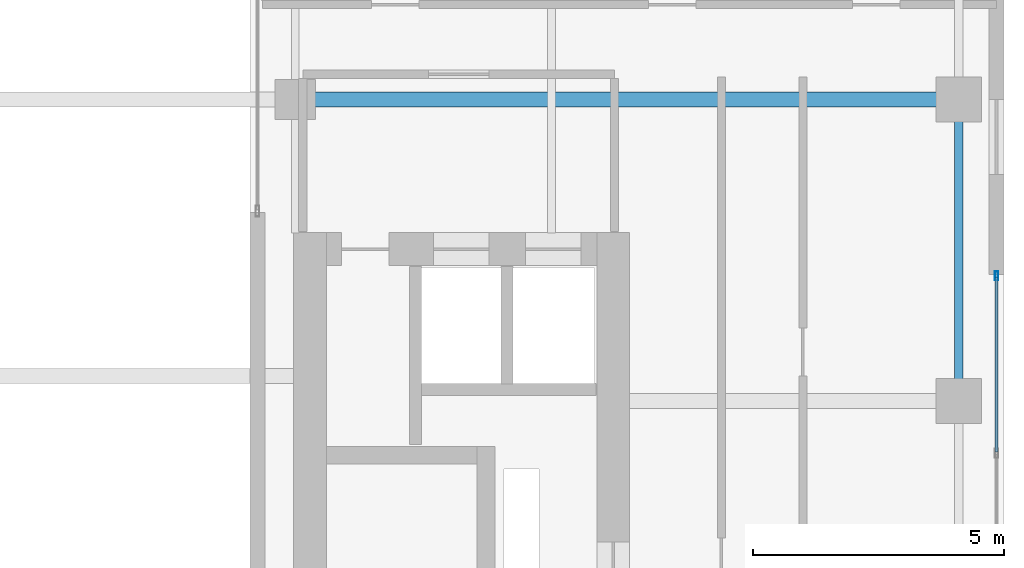
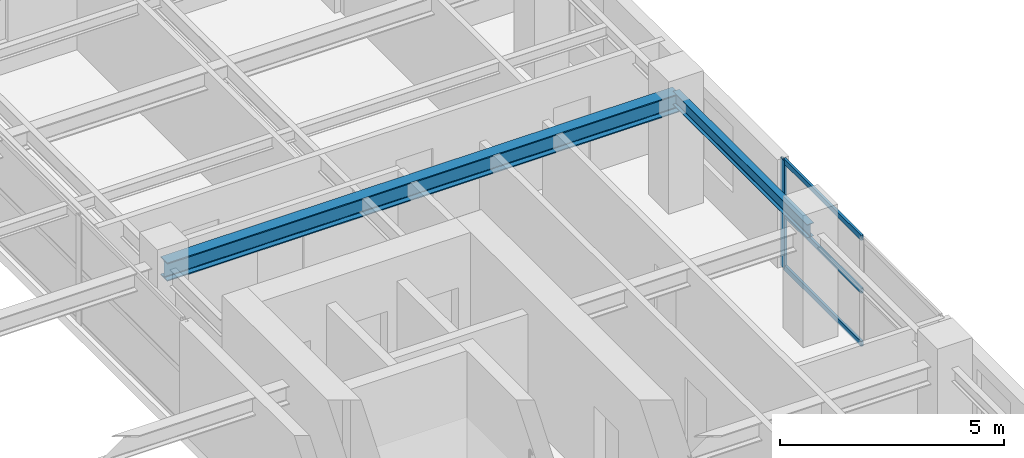
# One storey, part 12 of 21: 4 members, 2 beams, 1 element without a shape of its own.
"""IFC4 building model written with IfcOpenShell, lengths in metres."""

from ifc_helpers import new_model, si_unit, direction, frame, origin, origin_2d, place, context, subcontext, project, spatial, hollow_rectangle, i_section, extrude, source, transform, mapped, material, layer, layer_set, material_profile, profile_set, type_object, element, aggregate, save


model = new_model("IFC4")

# Units and contexts
model_context = context("Model", 3, precision=1e-05, world=origin(), true_north=direction((0.0, 1.0)))
body_context = subcontext(model_context, "Body", "Model", "MODEL_VIEW")
ifc_project = project(units=[si_unit("LENGTHUNIT", "METRE"), si_unit("AREAUNIT", "SQUARE_METRE"), si_unit("VOLUMEUNIT", "CUBIC_METRE"), si_unit("PLANEANGLEUNIT", "RADIAN"), si_unit("MASSUNIT", "GRAM", prefix="KILO")], contexts=[model_context])

# Site, building, storey
site_placement = place(None, origin())
site = spatial("IfcSite", under=ifc_project, at=site_placement, CompositionType="ELEMENT")
building_placement = place(site_placement, origin())
building = spatial("IfcBuilding", under=site, at=building_placement, Name="Khoralis Quay Care Tower", CompositionType="ELEMENT")
storey_placement = place(building_placement, frame((0.0, 0.0, 213.300048828125)))
storey = spatial("IfcBuildingStorey", under=building, at=storey_placement, Name="L56", CompositionType="ELEMENT", Elevation=213.300048828125)

# Beams
ifc_material_1 = material(Name="Steel S355", Category="steel")
ifc_material_profile_1 = material_profile(ifc_material_1, i_section(OverallWidth=0.169921875, OverallDepth=0.360107421875, WebThickness=0.008056640625, FlangeThickness=0.0126953125, FilletRadius=0.01806640625, at=origin_2d()), Name="Steel S355")
ifc_profile_set_1 = profile_set([ifc_material_profile_1], Name="Steel S355")
beam_type_1 = type_object("IfcBeamType", Name="BM-IPE360", PredefinedType="SPANDREL", material=ifc_profile_set_1)
shared_shape_1 = source(origin(), body_context, "Body", "SweptSolid", [
    extrude(i_section(OverallWidth=0.169921875, OverallDepth=0.360107421875, WebThickness=0.008056640625, FlangeThickness=0.0126953125, FilletRadius=0.01806640625, at=origin_2d()), origin(), (0.0, 0.0, 1.0), 6.0),
])
beam_1_placement = place(storey_placement, frame((44.10009765625, 24.0, 2.77001953125), z_axis=(0.0, 1.0, 0.0), x_axis=(-1.0, 0.0, 0.0)))
element("IfcBeam", 1, at=beam_1_placement, inside=storey, type_object=beam_type_1, Name="BM-TSP-L56-15", PredefinedType="SPANDREL", context=body_context, shape_type="MappedRepresentation", body=[
    mapped(shared_shape_1, transform((0.0, 0.0, 0.0), scale=1.0)),
])
ifc_material_profile_2 = material_profile(ifc_material_1, i_section(OverallWidth=0.300048828125, OverallDepth=0.5, WebThickness=0.014404296875, FlangeThickness=0.028076171875, FilletRadius=0.027099609375, at=origin_2d()), Name="Steel S355")
ifc_profile_set_2 = profile_set([ifc_material_profile_2], Name="Steel S355")
beam_type_2 = type_object("IfcBeamType", Name="BM-HEB500", PredefinedType="BEAM", material=ifc_profile_set_2)
shared_shape_2 = source(origin(), body_context, "Body", "SweptSolid", [
    extrude(i_section(OverallWidth=0.300048828125, OverallDepth=0.5, WebThickness=0.014404296875, FlangeThickness=0.028076171875, FilletRadius=0.027099609375, at=origin_2d()), origin(), (0.0, 0.0, 1.0), 13.2001953125),
])
beam_2_placement = place(storey_placement, frame((30.89990234375, 30.0, 2.699951171875), z_axis=(1.0, 0.0, 0.0), x_axis=(0.0, 1.0, 0.0)))
element("IfcBeam", 2, at=beam_2_placement, inside=storey, type_object=beam_type_2, Name="BM-TGXE-L56-300", PredefinedType="BEAM", context=body_context, shape_type="MappedRepresentation", body=[
    mapped(shared_shape_2, transform((0.0, 0.0, 0.0), scale=1.0)),
])

# Curtain wall, members
ifc_material_2 = material(Name="Pale anodised aluminium", Category="aluminium")
ifc_layer = layer(ifc_material_2, 0.159912109375)
ifc_layer_set = layer_set([ifc_layer], Name="Pale anodised aluminium")
curtain_wall_type = type_object("IfcCurtainWallType", Name="CW-SYS-Z3", PredefinedType="NOTDEFINED", material=ifc_layer_set)
curtain_wall_placement = place(storey_placement, origin())
curtain_wall = element("IfcCurtainWall", 3, at=curtain_wall_placement, inside=storey, type_object=curtain_wall_type, Name="L56 Unitised Curtain Wall CW-L56-P2-E5", PredefinedType="NOTDEFINED")
ifc_material_profile_3 = material_profile(ifc_material_2, hollow_rectangle(XDim=0.06494140625, YDim=0.179931640625, WallThickness=0.00390625, at=origin_2d()), Name="Pale anodised aluminium")
ifc_profile_set_3 = profile_set([ifc_material_profile_3], Name="Pale anodised aluminium")
member_type_1 = type_object("IfcMemberType", Name="CW-MUL-180", PredefinedType="MULLION", material=ifc_profile_set_3)
shared_shape_3 = source(origin(), body_context, "Body", "SweptSolid", [
    extrude(hollow_rectangle(XDim=0.06494140625, YDim=0.179931640625, WallThickness=0.00390625, at=origin_2d()), origin(), (0.0, 0.0, 1.0), 2.949951171875),
])
member_1_placement = place(storey_placement, frame((44.85009765625, 26.489990234375, 0.0), z_axis=(0.0, 0.0, 1.0), x_axis=(-1.0, 0.0, 0.0)))
member_1 = element("IfcMember", 4, at=member_1_placement, type_object=member_type_1, Name="CW3 mullion 3", PredefinedType="MULLION", context=body_context, shape_type="MappedRepresentation", body=[
    mapped(shared_shape_3, transform((0.0, 0.0, 0.0), scale=1.0)),
])
ifc_material_profile_4 = material_profile(ifc_material_2, hollow_rectangle(XDim=0.06005859375, YDim=0.139892578125, WallThickness=0.00390625, at=origin_2d()), Name="Pale anodised aluminium")
ifc_profile_set_4 = profile_set([ifc_material_profile_4], Name="Pale anodised aluminium")
member_type_2 = type_object("IfcMemberType", Name="CW-TRN-140", PredefinedType="USERDEFINED", material=ifc_profile_set_4)
shared_shape_4 = source(origin(), body_context, "Body", "SweptSolid", [
    extrude(hollow_rectangle(XDim=0.06005859375, YDim=0.139892578125, WallThickness=0.00390625, at=origin_2d()), origin(), (0.0, 0.0, 1.0), 3.469970703125),
])
member_2_placement = place(storey_placement, frame((44.85009765625, 22.989990234375, 0.030029296875), z_axis=(0.0, 1.0, 0.0), x_axis=(-1.0, 0.0, 0.0)))
member_2 = element("IfcMember", 5, at=member_2_placement, type_object=member_type_2, Name="CW3 transom 2.1", ObjectType="TRANSOM", PredefinedType="USERDEFINED", context=body_context, shape_type="MappedRepresentation", body=[
    mapped(shared_shape_4, transform((0.0, 0.0, 0.0), scale=1.0)),
])
member_3_placement = place(storey_placement, frame((44.85009765625, 22.989990234375, 1.474853515625), z_axis=(0.0, 1.0, 0.0), x_axis=(-1.0, 0.0, 0.0)))
member_3 = element("IfcMember", 6, at=member_3_placement, type_object=member_type_2, Name="CW3 transom 2.2", ObjectType="TRANSOM", PredefinedType="USERDEFINED", context=body_context, shape_type="MappedRepresentation", body=[
    mapped(shared_shape_4, transform((0.0, 0.0, 0.0), scale=1.0)),
])
member_4_placement = place(storey_placement, frame((44.85009765625, 22.989990234375, 2.919921875), z_axis=(0.0, 1.0, 0.0), x_axis=(-1.0, 0.0, 0.0)))
member_4 = element("IfcMember", 7, at=member_4_placement, type_object=member_type_2, Name="CW3 transom 2.3", ObjectType="TRANSOM", PredefinedType="USERDEFINED", context=body_context, shape_type="MappedRepresentation", body=[
    mapped(shared_shape_4, transform((0.0, 0.0, 0.0), scale=1.0)),
])
aggregate(curtain_wall, [member_1, member_2, member_3, member_4])

save(model, "model.ifc")
